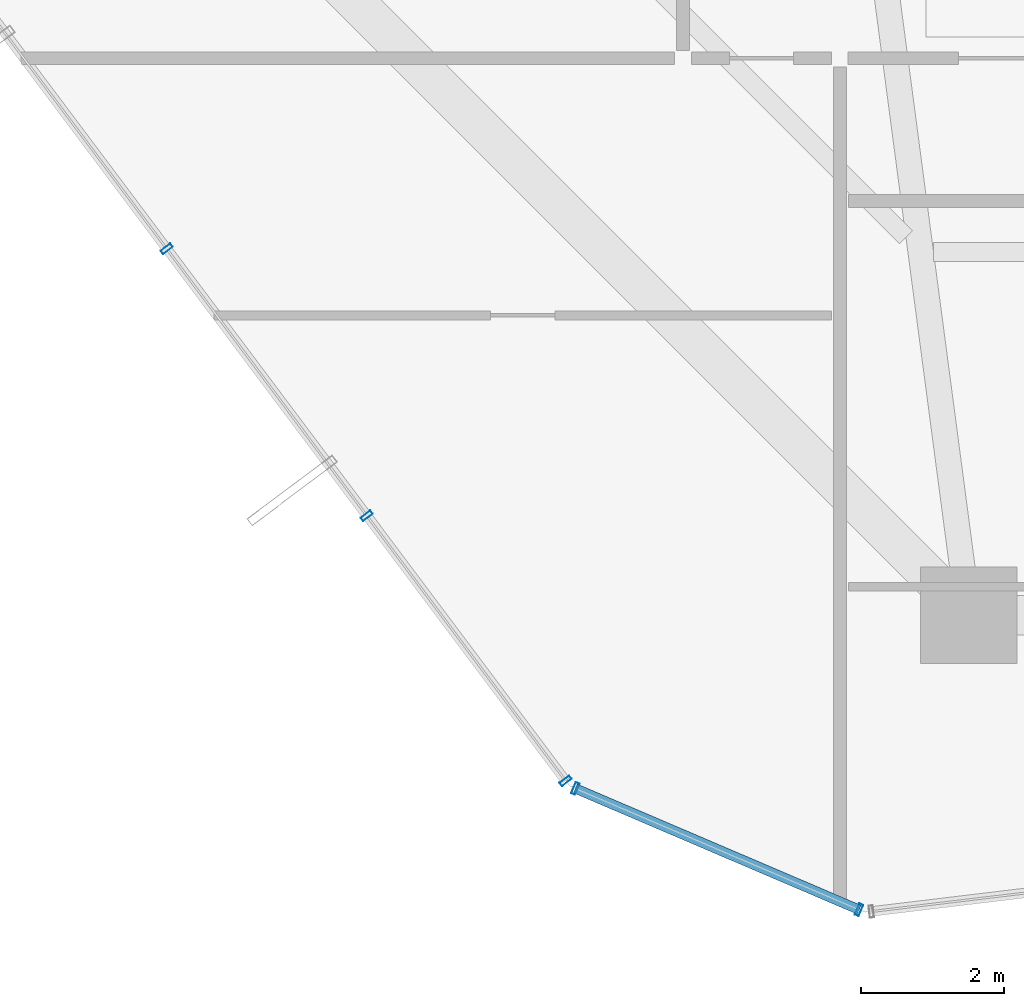
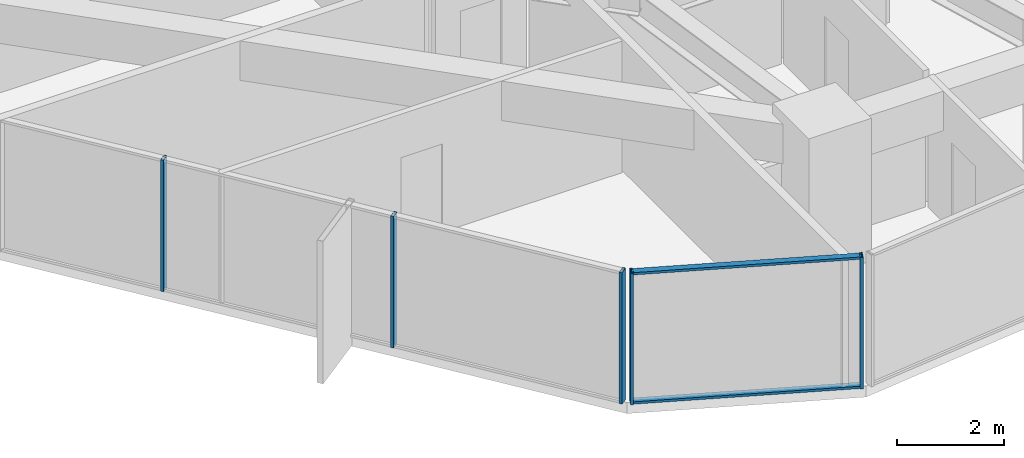
# One storey, part 2 of 37: 7 members, 2 elements without a shape of their own.
"""IFC4 building model written with IfcOpenShell, lengths in metres."""

from ifc_helpers import new_model, si_unit, direction, frame, origin, origin_2d, place, context, subcontext, project, spatial, hollow_rectangle, extrude, source, transform, mapped, material, layer, layer_set, material_profile, profile_set, type_object, element, aggregate, save


model = new_model("IFC4")

# Units and contexts
model_context = context("Model", 3, precision=1e-05, world=origin(), true_north=direction((0.0, 1.0)))
body_context = subcontext(model_context, "Body", "Model", "MODEL_VIEW")
ifc_project = project(units=[si_unit("LENGTHUNIT", "METRE"), si_unit("AREAUNIT", "SQUARE_METRE"), si_unit("VOLUMEUNIT", "CUBIC_METRE"), si_unit("PLANEANGLEUNIT", "RADIAN"), si_unit("MASSUNIT", "GRAM", prefix="KILO")], contexts=[model_context])

# Site, building, storey
site_placement = place(None, origin())
site = spatial("IfcSite", under=ifc_project, at=site_placement, CompositionType="ELEMENT")
building_placement = place(site_placement, origin())
building = spatial("IfcBuilding", under=site, at=building_placement, Name="Veraguas Prism Commons", CompositionType="ELEMENT")
storey_placement = place(building_placement, frame((0.0, 0.0, 46.800048828125)))
storey = spatial("IfcBuildingStorey", under=building, at=storey_placement, Name="L12", CompositionType="ELEMENT", Elevation=46.800048828125)

# Curtain wall, members
ifc_material = material(Name="Anodised aluminium EN AW-6063 T6", Category="aluminium")
ifc_layer = layer(ifc_material, 0.169921875, Name="Unitised Flush Curtain Wall Zone 1", Category="aluminium")
ifc_layer_set = layer_set([ifc_layer], Name="Anodised aluminium EN AW-6063 T6")
curtain_wall_type = type_object("IfcCurtainWallType", Name="Unitised Flush Curtain Wall Zone 1", PredefinedType="NOTDEFINED", material=ifc_layer_set)
curtain_wall_1_placement = place(storey_placement, origin())
curtain_wall_1 = element("IfcCurtainWall", 1, at=curtain_wall_1_placement, inside=storey, type_object=curtain_wall_type, Name="Chamfer Curtain Wall L12-C5", PredefinedType="NOTDEFINED")
ifc_material_profile_1 = material_profile(ifc_material, hollow_rectangle(XDim=0.054931640625, YDim=0.135009765625, WallThickness=0.0029296875, at=origin_2d()), Name="AL55X135X3")
ifc_profile_set_1 = profile_set([ifc_material_profile_1], Name="Anodised aluminium EN AW-6063 T6")
member_type_1 = type_object("IfcMemberType", Name="Curtain Wall Transom Standard AL 55x135x3", PredefinedType="USERDEFINED", material=ifc_profile_set_1)
shared_shape_1 = source(origin(), body_context, "Body", "SweptSolid", [
    extrude(hollow_rectangle(XDim=0.054931640625, YDim=0.135009765625, WallThickness=0.0029296875, at=origin_2d()), origin(), (0.0, 0.0, 1.0), 4.31982421875),
])
member_1_placement = place(storey_placement, frame((13.0927734375, 3.97412109375, 0.02734375), z_axis=(0.919559614467, -0.392950525437, 0.0), x_axis=(0.0, 0.0, 1.0)))
member_1 = element("IfcMember", 2, at=member_1_placement, type_object=member_type_1, Name="CW-Z1 Transom 1", ObjectType="TRANSOM", PredefinedType="USERDEFINED", context=body_context, shape_type="MappedRepresentation", body=[
    mapped(shared_shape_1, transform((0.0, 0.0, 0.0), scale=1.0)),
])
member_2_placement = place(storey_placement, frame((13.0927734375, 3.97412109375, 2.972412109375), z_axis=(0.919559614467, -0.392950525437, 0.0), x_axis=(0.0, 0.0, 1.0)))
member_2 = element("IfcMember", 3, at=member_2_placement, type_object=member_type_1, Name="CW-Z1 Transom 2", ObjectType="TRANSOM", PredefinedType="USERDEFINED", context=body_context, shape_type="MappedRepresentation", body=[
    mapped(shared_shape_1, transform((0.0, 0.0, 0.0), scale=1.0)),
])

curtain_wall_2_placement = place(storey_placement, origin())
curtain_wall_2 = element("IfcCurtainWall", 4, at=curtain_wall_2_placement, inside=storey, type_object=curtain_wall_type, Name="Tower Facade Curtain Wall L12-F4", PredefinedType="NOTDEFINED")
ifc_material_profile_2 = material_profile(ifc_material, hollow_rectangle(XDim=0.06005859375, YDim=0.169921875, WallThickness=0.00390625, at=origin_2d()), Name="AL60X170X4")
ifc_profile_set_2 = profile_set([ifc_material_profile_2], Name="Anodised aluminium EN AW-6063 T6")
member_type_2 = type_object("IfcMemberType", Name="Curtain Wall Mullion Lower AL 60x170x4", PredefinedType="MULLION", material=ifc_profile_set_2)
shared_shape_2 = source(origin(), body_context, "Body", "SweptSolid", [
    extrude(hollow_rectangle(XDim=0.06005859375, YDim=0.169921875, WallThickness=0.00390625, at=origin_2d()), origin(), (0.0, 0.0, 1.0), 3.0),
])
member_3_placement = place(storey_placement, frame((7.3701171875, 11.531982421875, 0.0), z_axis=(0.0, 0.0, 1.0), x_axis=(0.599861793842, -0.800103635968, 0.0)))
member_3 = element("IfcMember", 5, at=member_3_placement, type_object=member_type_2, Name="CW-Z1 Mullion 3", PredefinedType="MULLION", context=body_context, shape_type="MappedRepresentation", body=[
    mapped(shared_shape_2, transform((0.0, 0.0, 0.0), scale=1.0)),
])
member_4_placement = place(storey_placement, frame((10.172119140625, 7.794921875, 0.0), z_axis=(0.0, 0.0, 1.0), x_axis=(0.599861793842, -0.800103635968, 0.0)))
member_4 = element("IfcMember", 6, at=member_4_placement, type_object=member_type_2, Name="CW-Z1 Mullion 4", PredefinedType="MULLION", context=body_context, shape_type="MappedRepresentation", body=[
    mapped(shared_shape_2, transform((0.0, 0.0, 0.0), scale=1.0)),
])
member_5_placement = place(storey_placement, frame((12.9560546875, 4.08154296875, 0.0), z_axis=(0.0, 0.0, 1.0), x_axis=(0.599861793842, -0.800103635968, 0.0)))
member_5 = element("IfcMember", 7, at=member_5_placement, type_object=member_type_2, Name="CW-Z1 Mullion 5", PredefinedType="MULLION", context=body_context, shape_type="MappedRepresentation", body=[
    mapped(shared_shape_2, transform((0.0, 0.0, 0.0), scale=1.0)),
])
aggregate(curtain_wall_2, [member_3, member_4, member_5])

# Member
member_6_placement = place(storey_placement, frame((13.0927734375, 3.97412109375, 0.0), z_axis=(0.0, 0.0, 1.0), x_axis=(0.919550799566, -0.392971152908, 0.0)))
member_6 = element("IfcMember", 8, at=member_6_placement, type_object=member_type_2, Name="CW-Z1 Mullion 1", PredefinedType="MULLION", context=body_context, shape_type="MappedRepresentation", body=[
    mapped(shared_shape_2, transform((0.0, 0.0, 0.0), scale=1.0)),
])

member_7_placement = place(storey_placement, frame((17.065185546875, 2.276611328125, 0.0), z_axis=(0.0, 0.0, 1.0), x_axis=(0.919550799566, -0.392971152908, 0.0)))
member_7 = element("IfcMember", 9, at=member_7_placement, type_object=member_type_2, Name="CW-Z1 Mullion 2", PredefinedType="MULLION", context=body_context, shape_type="MappedRepresentation", body=[
    mapped(shared_shape_2, transform((0.0, 0.0, 0.0), scale=1.0)),
])

aggregate(curtain_wall_1, [member_6, member_7, member_1, member_2])

save(model, "model.ifc")
